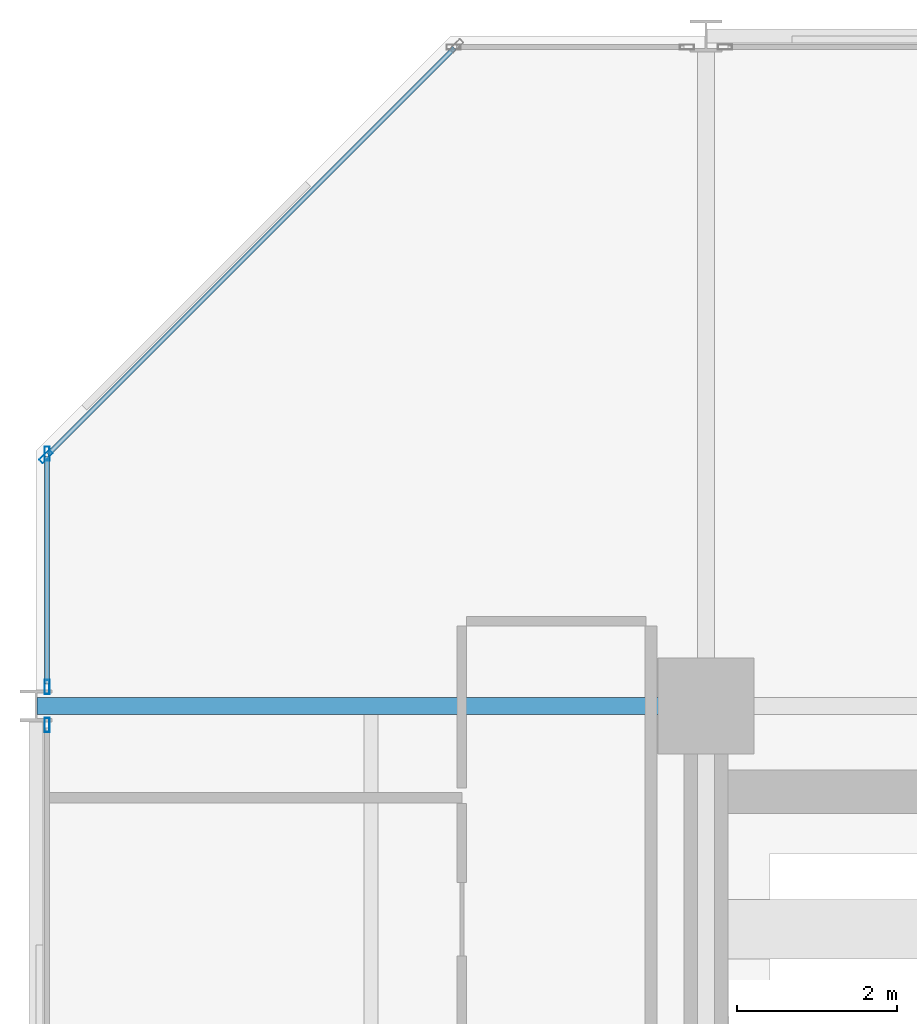
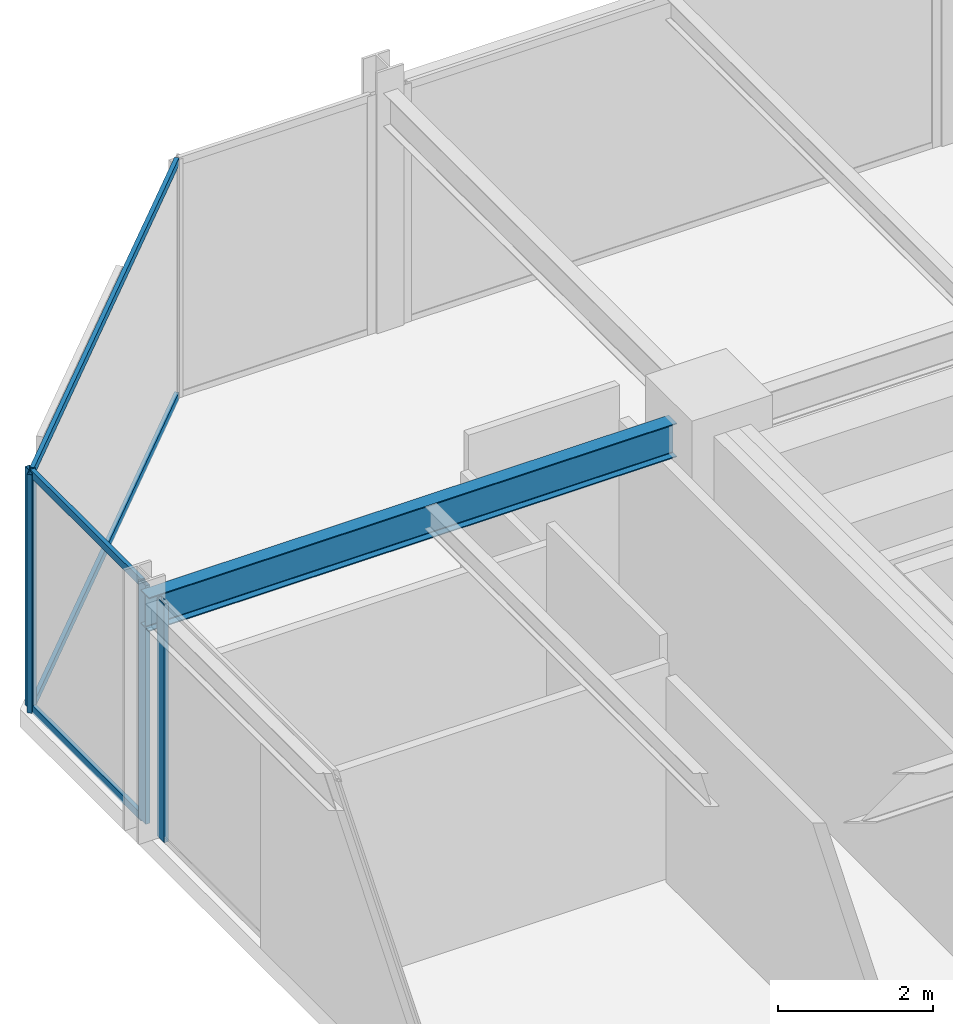
# One storey, part 18 of 29: 8 members, 1 beam, 3 elements without a shape of their own.
"""IFC4 building model written with IfcOpenShell, lengths in metres."""

from ifc_helpers import new_model, si_unit, direction, frame, origin, origin_2d, place, context, subcontext, project, spatial, hollow_rectangle, i_section, extrude, material, layer, layer_set, material_profile, profile_set, type_object, element, aggregate, save


model = new_model("IFC4")

# Units and contexts
model_context = context("Model", 3, precision=1e-05, world=origin(), true_north=direction((0.0, 1.0)))
body_context = subcontext(model_context, "Body", "Model", "MODEL_VIEW")
ifc_project = project(units=[si_unit("LENGTHUNIT", "METRE"), si_unit("AREAUNIT", "SQUARE_METRE"), si_unit("VOLUMEUNIT", "CUBIC_METRE"), si_unit("PLANEANGLEUNIT", "RADIAN"), si_unit("MASSUNIT", "GRAM", prefix="KILO")], contexts=[model_context])

# Site, building, storey
site_placement = place(None, origin())
site = spatial("IfcSite", under=ifc_project, at=site_placement, CompositionType="ELEMENT")
building_placement = place(site_placement, origin())
building = spatial("IfcBuilding", under=site, at=building_placement, Name="Nerrivon Quay Data Exchange", CompositionType="ELEMENT")
storey_placement = place(building_placement, frame((0.0, 0.0, 158.199951171875)))
storey = spatial("IfcBuildingStorey", under=building, at=storey_placement, Name="L37", CompositionType="ELEMENT", Elevation=158.199951171875)

# Beam
ifc_material_1 = material(Name="Steel Grade 350", Category="steel")
ifc_material_profile_1 = material_profile(ifc_material_1, i_section(OverallWidth=0.208984375, OverallDepth=0.532958984375, WebThickness=0.01025390625, FlangeThickness=0.015625, FilletRadius=0.013916015625, at=origin_2d()), Name="530UB92.4")
ifc_profile_set_1 = profile_set([ifc_material_profile_1], Name="Steel Grade 350")
beam_type = type_object("IfcBeamType", Name="BM-G3-530UB92", PredefinedType="BEAM", material=ifc_profile_set_1)
beam_placement = place(storey_placement, frame((0.012451171875, 42.0, 3.483642578125), z_axis=(1.0, 0.0, 0.0), x_axis=(0.0, 1.0, 0.0)))
element("IfcBeam", 1, at=beam_placement, inside=storey, type_object=beam_type, Name="L37 EW Girder Y=42.0 (0.0..8.4)", PredefinedType="BEAM", context=body_context, shape_type="SweptSolid", body=[
    extrude(i_section(OverallWidth=0.208984375, OverallDepth=0.532958984375, WebThickness=0.01025390625, FlangeThickness=0.015625, FilletRadius=0.013916015625, at=origin_2d()), origin(), (0.0, 0.0, 1.0), 7.84765625),
])

# Curtain wall, member
ifc_material_2 = material(Name="Anodised aluminium 6063-T6", Category="aluminium")
ifc_layer = layer(ifc_material_2, 0.2099609375)
ifc_layer_set = layer_set([ifc_layer], Name="Anodised aluminium 6063-T6")
curtain_wall_type = type_object("IfcCurtainWallType", Name="CW-SYS-02", PredefinedType="NOTDEFINED", material=ifc_layer_set)
curtain_wall_1_placement = place(storey_placement, origin())
curtain_wall_1 = element("IfcCurtainWall", 2, at=curtain_wall_1_placement, inside=storey, type_object=curtain_wall_type, Name="L37 Unitised Curtain Wall 15", PredefinedType="NOTDEFINED")
ifc_material_profile_2 = material_profile(ifc_material_2, hollow_rectangle(XDim=0.06494140625, YDim=0.179931640625, WallThickness=0.00341796875, at=origin_2d()), Name="ALU-MULL-180x65")
ifc_profile_set_2 = profile_set([ifc_material_profile_2], Name="Anodised aluminium 6063-T6")
member_type_1 = type_object("IfcMemberType", Name="CWM-180x65", PredefinedType="MULLION", material=ifc_profile_set_2)
member_1_placement = place(storey_placement, frame((0.139892578125, 41.762451171875, 0.0), z_axis=(0.0, 0.0, 1.0), x_axis=(-1.0, 0.0, 0.0)))
member_1 = element("IfcMember", 3, at=member_1_placement, type_object=member_type_1, Name="CW02 mullion 2", PredefinedType="MULLION", context=body_context, shape_type="SweptSolid", body=[
    extrude(hollow_rectangle(XDim=0.06494140625, YDim=0.179931640625, WallThickness=0.00341796875, at=origin_2d()), origin(), (0.0, 0.0, 1.0), 3.75),
])
aggregate(curtain_wall_1, [member_1])

# Curtain wall, members
curtain_wall_2_placement = place(storey_placement, origin())
curtain_wall_2 = element("IfcCurtainWall", 4, at=curtain_wall_2_placement, inside=storey, type_object=curtain_wall_type, Name="L37 Unitised Curtain Wall 16", PredefinedType="NOTDEFINED")
member_2_placement = place(storey_placement, frame((0.139892578125, 42.237548828125, 0.0), z_axis=(0.0, 0.0, 1.0), x_axis=(-1.0, 0.0, 0.0)))
member_2 = element("IfcMember", 5, at=member_2_placement, type_object=member_type_1, Name="CW02 mullion 1", PredefinedType="MULLION", context=body_context, shape_type="SweptSolid", body=[
    extrude(hollow_rectangle(XDim=0.06494140625, YDim=0.179931640625, WallThickness=0.00341796875, at=origin_2d()), origin(), (0.0, 0.0, 1.0), 3.75),
])
member_3_placement = place(storey_placement, frame((0.139892578125, 45.16259765625, 0.0), z_axis=(0.0, 0.0, 1.0), x_axis=(-1.0, 0.0, 0.0)))
member_3 = element("IfcMember", 6, at=member_3_placement, type_object=member_type_1, Name="CW02 mullion 2", PredefinedType="MULLION", context=body_context, shape_type="SweptSolid", body=[
    extrude(hollow_rectangle(XDim=0.06494140625, YDim=0.179931640625, WallThickness=0.00341796875, at=origin_2d()), origin(), (0.0, 0.0, 1.0), 3.75),
])

# Curtain wall, member
curtain_wall_3_placement = place(storey_placement, origin())
curtain_wall_3 = element("IfcCurtainWall", 7, at=curtain_wall_3_placement, inside=storey, type_object=curtain_wall_type, Name="L37 Unitised Curtain Wall 17", PredefinedType="NOTDEFINED")
member_4_placement = place(storey_placement, frame((0.12548828125, 45.12744140625, 0.0), z_axis=(0.0, 0.0, 1.0), x_axis=(-0.707106781187, 0.707106781187, 0.0)))
member_4 = element("IfcMember", 8, at=member_4_placement, type_object=member_type_1, Name="CW02 mullion 1", PredefinedType="MULLION", context=body_context, shape_type="SweptSolid", body=[
    extrude(hollow_rectangle(XDim=0.06494140625, YDim=0.179931640625, WallThickness=0.00341796875, at=origin_2d()), origin(), (0.0, 0.0, 1.0), 3.75),
])

# Member
ifc_material_profile_3 = material_profile(ifc_material_2, hollow_rectangle(XDim=0.06005859375, YDim=0.1201171875, WallThickness=0.003173828125, at=origin_2d()), Name="ALU-TRAN-120x60")
ifc_profile_set_3 = profile_set([ifc_material_profile_3], Name="Anodised aluminium 6063-T6")
member_type_2 = type_object("IfcMemberType", Name="CWT-120x60", PredefinedType="USERDEFINED", material=ifc_profile_set_3)
member_5_placement = place(storey_placement, frame((0.139892578125, 42.27490234375, 0.032470703125), z_axis=(0.0, 1.0, 0.0), x_axis=(-1.0, 0.0, 0.0)))
member_5 = element("IfcMember", 9, at=member_5_placement, type_object=member_type_2, Name="CW02 transom 1.1", ObjectType="TRANSOM", PredefinedType="USERDEFINED", context=body_context, shape_type="SweptSolid", body=[
    extrude(hollow_rectangle(XDim=0.06005859375, YDim=0.1201171875, WallThickness=0.003173828125, at=origin_2d()), origin(), (0.0, 0.0, 1.0), 2.85009765625),
])

member_6_placement = place(storey_placement, frame((0.139892578125, 42.27490234375, 3.717529296875), z_axis=(0.0, 1.0, 0.0), x_axis=(-1.0, 0.0, 0.0)))
member_6 = element("IfcMember", 10, at=member_6_placement, type_object=member_type_2, Name="CW02 transom 1.2", ObjectType="TRANSOM", PredefinedType="USERDEFINED", context=body_context, shape_type="SweptSolid", body=[
    extrude(hollow_rectangle(XDim=0.06005859375, YDim=0.1201171875, WallThickness=0.003173828125, at=origin_2d()), origin(), (0.0, 0.0, 1.0), 2.85009765625),
])

aggregate(curtain_wall_2, [member_2, member_3, member_5, member_6])

member_7_placement = place(storey_placement, frame((0.152099609375, 45.154052734375, 0.032470703125), z_axis=(0.707089835771, 0.707123726196, 0.0), x_axis=(-0.707123726196, 0.707089835771, 0.0)))
member_7 = element("IfcMember", 11, at=member_7_placement, type_object=member_type_2, Name="CW02 transom 1.1", ObjectType="TRANSOM", PredefinedType="USERDEFINED", context=body_context, shape_type="SweptSolid", body=[
    extrude(hollow_rectangle(XDim=0.06005859375, YDim=0.1201171875, WallThickness=0.003173828125, at=origin_2d()), origin(), (0.0, 0.0, 1.0), 7.203857421875),
])

member_8_placement = place(storey_placement, frame((0.152099609375, 45.154052734375, 3.717529296875), z_axis=(0.707089835771, 0.707123726196, 0.0), x_axis=(-0.707123726196, 0.707089835771, 0.0)))
member_8 = element("IfcMember", 12, at=member_8_placement, type_object=member_type_2, Name="CW02 transom 1.2", ObjectType="TRANSOM", PredefinedType="USERDEFINED", context=body_context, shape_type="SweptSolid", body=[
    extrude(hollow_rectangle(XDim=0.06005859375, YDim=0.1201171875, WallThickness=0.003173828125, at=origin_2d()), origin(), (0.0, 0.0, 1.0), 7.203857421875),
])

aggregate(curtain_wall_3, [member_4, member_7, member_8])

save(model, "model.ifc")
